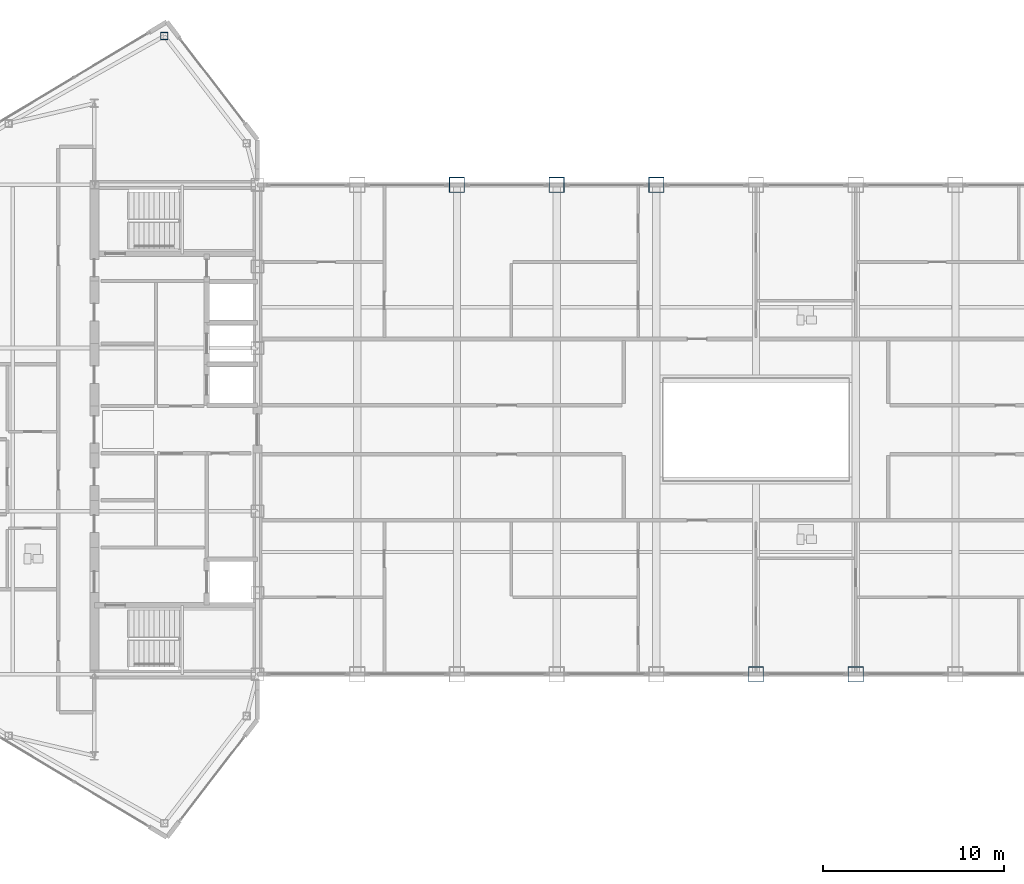
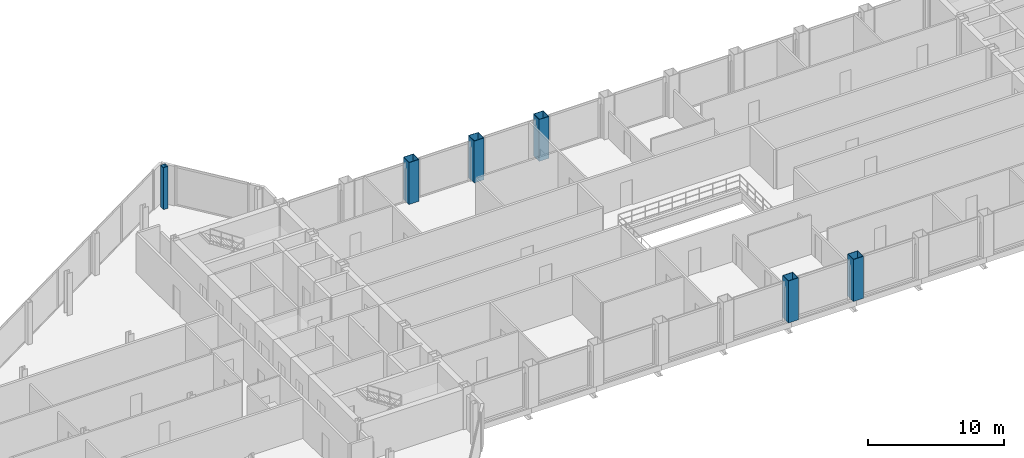
# One storey, part 3 of 29: 6 columns.
"""IFC4 building model written with IfcOpenShell, lengths in metres."""

from ifc_helpers import new_model, si_unit, direction, frame, origin, origin_2d, place, context, subcontext, project, spatial, hollow_rectangle, extrude, source, transform, mapped, material, material_profile, profile_set, type_object, type_shapes, element, save


model = new_model("IFC4")

# Units and contexts
model_context = context("Model", 3, precision=1e-05, world=origin(), true_north=direction((0.0, 1.0)))
body_context = subcontext(model_context, "Body", "Model", "MODEL_VIEW")
ifc_project = project(units=[si_unit("LENGTHUNIT", "METRE"), si_unit("AREAUNIT", "SQUARE_METRE"), si_unit("VOLUMEUNIT", "CUBIC_METRE"), si_unit("PLANEANGLEUNIT", "RADIAN"), si_unit("MASSUNIT", "GRAM", prefix="KILO")], contexts=[model_context])

# Site, building, storey
site_placement = place(None, origin())
site = spatial("IfcSite", under=ifc_project, at=site_placement, CompositionType="ELEMENT")
building_placement = place(site_placement, origin())
building = spatial("IfcBuilding", under=site, at=building_placement, Name="Seokmaru Belvedere", CompositionType="ELEMENT")
storey_placement = place(building_placement, frame((0.0, 0.0, 243.14990234375)))
storey = spatial("IfcBuildingStorey", under=building, at=storey_placement, Name="L64", CompositionType="ELEMENT", Elevation=243.14990234375)

# Columns
ifc_material_1 = material(Name="Steel SM355 (355 MPa)", Category="steel")
ifc_material_profile_1 = material_profile(ifc_material_1, hollow_rectangle(XDim=0.39990234375, YDim=0.39990234375, WallThickness=0.01611328125, at=origin_2d()), Name="HSS-400x400x16")
ifc_profile_set_1 = profile_set([ifc_material_profile_1], Name="Steel SM355 (355 MPa)")
column_type_1 = type_object("IfcColumnType", Name="Perimeter Facet Column HSS-400", PredefinedType="COLUMN", material=ifc_profile_set_1)
shared_shape_1 = source(origin(), body_context, "Body", "SweptSolid", [
    extrude(hollow_rectangle(XDim=0.39990234375, YDim=0.39990234375, WallThickness=0.01611328125, at=origin_2d()), origin(), (0.0, 0.0, 1.0), 3.75),
])
type_shapes(column_type_1, [shared_shape_1])
column_placement = place(storey_placement, frame((-32.649658203125, 21.71044921875, 0.0), z_axis=(0.0, 0.0, 1.0), x_axis=(1.0, 0.0, 0.0)))
element("IfcColumn", 1, at=column_placement, inside=storey, type_object=column_type_1, Name="L64 Column WF3", PredefinedType="COLUMN", context=body_context, shape_type="MappedRepresentation", body=[
    mapped(shared_shape_1, transform((0.0, 0.0, 0.0), scale=1.0)),
])
ifc_material_2 = material(Name="Steel HSA650 (650 MPa)", Category="steel")
ifc_material_profile_2 = material_profile(ifc_material_2, hollow_rectangle(XDim=0.85009765625, YDim=0.85009765625, WallThickness=0.035888671875, at=origin_2d()), Name="BOX-850x850x36")
ifc_profile_set_2 = profile_set([ifc_material_profile_2], Name="Steel HSA650 (650 MPa)")
column_type_2 = type_object("IfcColumnType", Name="Portal Spine Column BOX-850", PredefinedType="COLUMN", material=ifc_profile_set_2)
shared_shape_2 = source(origin(), body_context, "Body", "SweptSolid", [
    extrude(hollow_rectangle(XDim=0.85009765625, YDim=0.85009765625, WallThickness=0.035888671875, at=origin_2d()), origin(), (0.0, 0.0, 1.0), 3.75),
])
type_shapes(column_type_2, [shared_shape_2])
for number, where, z_axis, x_axis, name in (
    (2, (-16.5, 13.5, 0.0), (0.0, 0.0, 1.0), (1.0, 0.0, 0.0), "L64 Column BRN_2"),
    (3, (-11.0, 13.5, 0.0), (0.0, 0.0, 1.0), (1.0, 0.0, 0.0), "L64 Column BRN_3"),
    (4, (-5.5, 13.5, 0.0), (0.0, 0.0, 1.0), (1.0, 0.0, 0.0), "L64 Column BRN_4"),
    (5, (0.0, -13.5, 0.0), (0.0, 0.0, 1.0), (1.0, 0.0, 0.0), "L64 Column BRS_5"),
    (6, (5.5, -13.5, 0.0), (0.0, 0.0, 1.0), (1.0, 0.0, 0.0), "L64 Column BRS_6"),
):
    element("IfcColumn", number, at=place(storey_placement, frame(where, z_axis=z_axis, x_axis=x_axis)), inside=storey, type_object=column_type_2, Name=name, PredefinedType="COLUMN", context=body_context, shape_type="MappedRepresentation", body=[
        mapped(shared_shape_2, transform((0.0, 0.0, 0.0), scale=1.0)),
    ])

save(model, "model.ifc")
